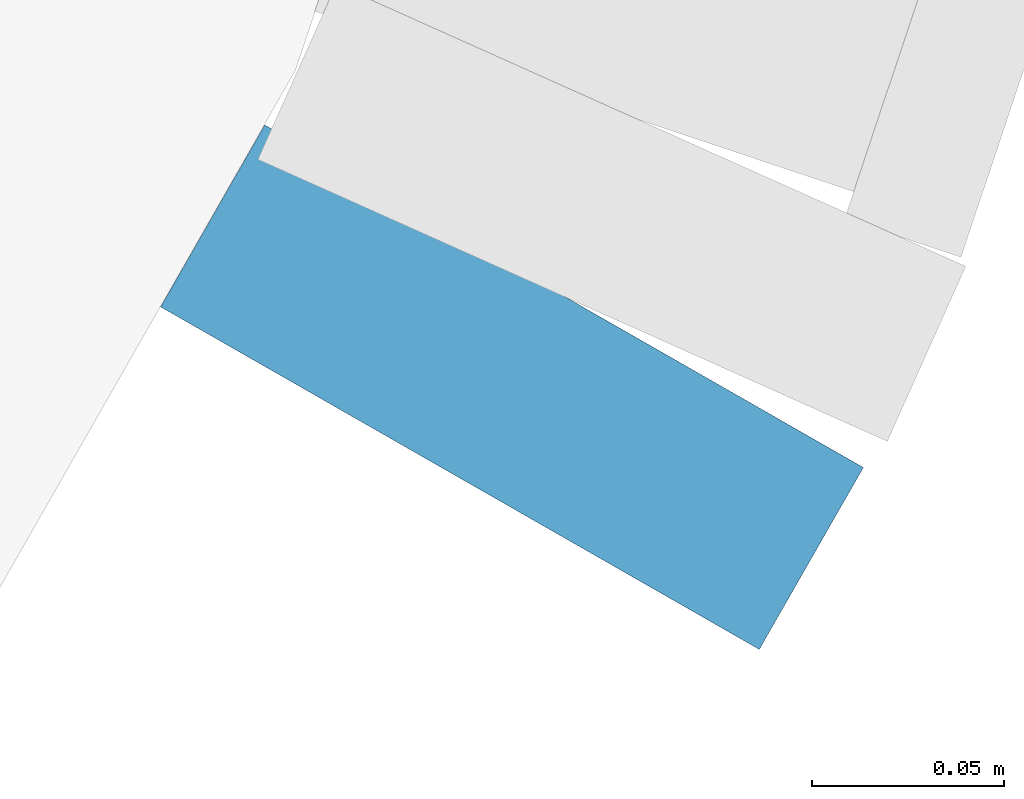
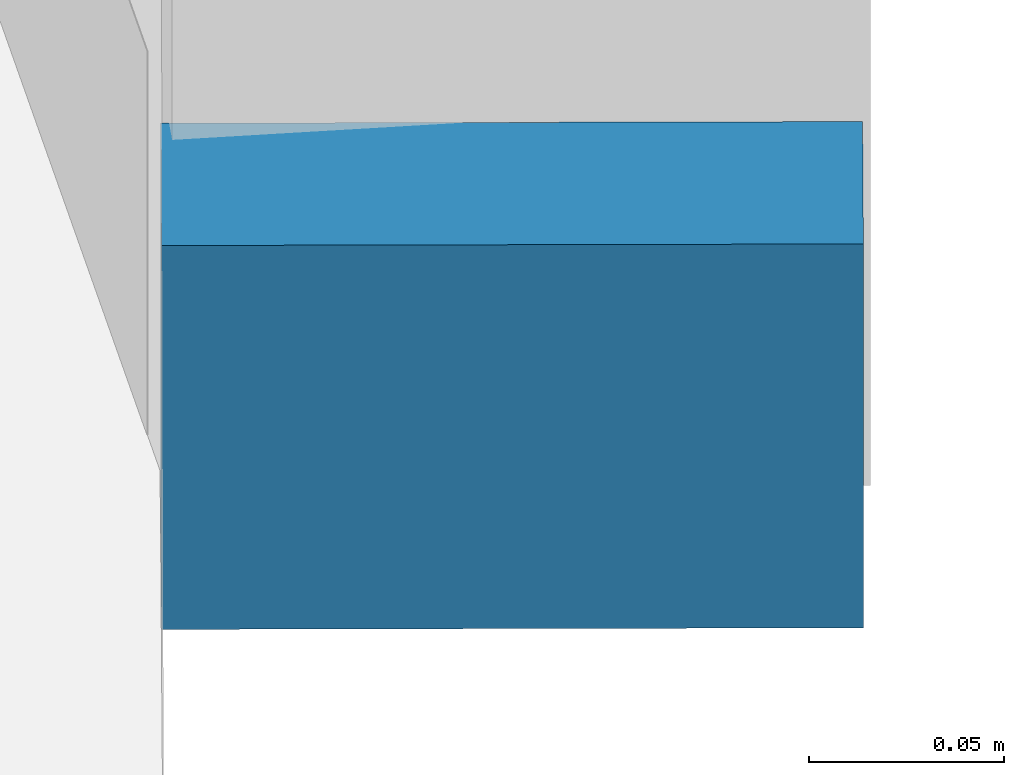
# One storey, part 16 of 32: 1 member, 1 element without a shape of its own.
"""IFC4 building model written with IfcOpenShell, lengths in metres."""

import ifcopenshell
import ifcopenshell.guid

model = None  # the IFC model being written
_history = None  # IfcOwnerHistory: only IFC2X3 demands one
_inside = {}  # id of a spatial element -> (the spatial element, [elements in it])
_under = {}  # id of a project, library or spatial element -> (it, [spatial elements below it])
_declared = {}  # id of a project -> (the project, [libraries it declares])
_typed = {}  # id of a type object -> (the type object, [elements of that type])
_made_of = {}  # id of a material, layer set ... -> (it, [elements and type objects made of it])


def new_model(schema):
    """Start an empty IFC model of exactly this schema.

    Asked for "IFC4X3", IfcOpenShell would pick the latest addendum, in which some entities
    have other attributes; the version numbers below select the first issue.
    IFC2X3 requires an IfcOwnerHistory on every rooted entity: one is made here for all.
    """
    global model, _history
    if schema == "IFC4X3":
        model = ifcopenshell.file(schema_version=(4, 3, 0, 0))
    else:
        model = ifcopenshell.file(schema=schema)
    _inside.clear()
    _under.clear()
    _declared.clear()
    _typed.clear()
    _made_of.clear()
    _history = None
    if model.schema == "IFC2X3":
        org = make("IfcOrganization", Name="unknown")
        user = make(
            "IfcPersonAndOrganization",
            ThePerson=make("IfcPerson", FamilyName="unknown"),
            TheOrganization=org,
        )
        app = make(
            "IfcApplication",
            ApplicationDeveloper=org,
            Version="unknown",
            ApplicationFullName="unknown",
            ApplicationIdentifier="unknown",
        )
        _history = make(
            "IfcOwnerHistory",
            OwningUser=user,
            OwningApplication=app,
            ChangeAction="ADDED",
            CreationDate=0,
        )
    return model


def make(cls, **values):
    """One entity of the class cls with the attributes given. An attribute that is None is left unset."""
    return model.create_entity(
        cls, **{name: value for name, value in values.items() if value is not None}
    )


def rooted(cls, **values):
    """An entity with a GlobalId (a new one), such as an element, a storey or a relation."""
    return make(cls, GlobalId=ifcopenshell.guid.new(), OwnerHistory=_history, **values)


def si_unit(unit_type, name, prefix=None):
    """IfcSIUnit, for example si_unit("LENGTHUNIT", "METRE", prefix="MILLI")."""
    return make("IfcSIUnit", UnitType=unit_type, Prefix=prefix, Name=name)


def assignment(units):
    """IfcUnitAssignment: the units of a project."""
    return None if units is None else make("IfcUnitAssignment", Units=units)


def point(xyz):
    """IfcCartesianPoint."""
    return None if xyz is None else make("IfcCartesianPoint", Coordinates=xyz)


def direction(xyz):
    """IfcDirection."""
    return None if xyz is None else make("IfcDirection", DirectionRatios=xyz)


def frame(location, z_axis=None, x_axis=None):
    """IfcAxis2Placement3D, a coordinate frame: its origin and axes. An axis left out is left unset."""
    return make(
        "IfcAxis2Placement3D",
        Location=point(location),
        Axis=direction(z_axis),
        RefDirection=direction(x_axis),
    )


def frame_2d(location, x_axis=None):
    """IfcAxis2Placement2D, a coordinate frame in the plane: its origin and x axis."""
    return make(
        "IfcAxis2Placement2D", Location=point(location), RefDirection=direction(x_axis)
    )


def origin():
    """The frame at (0, 0, 0) with its axes left unset."""
    return frame((0.0, 0.0, 0.0))


def origin_2d():
    """The frame at (0, 0) in the plane with its x axis left unset."""
    return frame_2d((0.0, 0.0))


def place(relative_to, where):
    """IfcLocalPlacement: puts the frame where relative to a parent placement (None: the world)."""
    return make(
        "IfcLocalPlacement", PlacementRelTo=relative_to, RelativePlacement=where
    )


def context(
    kind, dimensions, precision=None, world=None, true_north=None, identifier=None
):
    """IfcGeometricRepresentationContext, for example the 3D "Model" context."""
    return make(
        "IfcGeometricRepresentationContext",
        ContextIdentifier=identifier,
        ContextType=kind,
        CoordinateSpaceDimension=dimensions,
        Precision=precision,
        WorldCoordinateSystem=world,
        TrueNorth=true_north,
    )


def subcontext(parent, identifier, kind, view, scale=None):
    """IfcGeometricRepresentationSubContext, for example "Body" below "Model"."""
    return make(
        "IfcGeometricRepresentationSubContext",
        ContextIdentifier=identifier,
        ContextType=kind,
        ParentContext=parent,
        TargetScale=scale,
        TargetView=view,
    )


def project(units=None, contexts=None):
    """IfcProject with its units and contexts."""
    return rooted(
        "IfcProject",
        Name="project",
        RepresentationContexts=contexts,
        UnitsInContext=assignment(units),
    )


def spatial(cls, under=None, at=None, **own):
    """A site, building, storey or space (cls), placed at a placement, below another one or the project."""
    s = rooted(cls, ObjectPlacement=at, **own)
    if under is not None:
        _under.setdefault(under.id(), (under, []))[1].append(s)
    return s


def profile(cls, at=None, kind="AREA", **sizes):
    """A parametric profile (cls). Its sizes go by their IFC names, for example OverallWidth=200.0."""
    return make(cls, ProfileType=kind, Position=at, **sizes)


def rectangle(**sizes):
    """IfcRectangleProfileDef."""
    return profile("IfcRectangleProfileDef", **sizes)


def extrude(swept, where, along, depth):
    """IfcExtrudedAreaSolid: the profile swept, set in the frame where, extruded along a direction by depth."""
    return make(
        "IfcExtrudedAreaSolid",
        SweptArea=swept,
        Position=where,
        ExtrudedDirection=direction(along),
        Depth=depth,
    )


def shape(context_of_items, identifier, shape_type, items):
    """IfcShapeRepresentation: the items that make up one representation, for example the "Body"."""
    return make(
        "IfcShapeRepresentation",
        ContextOfItems=context_of_items,
        RepresentationIdentifier=identifier,
        RepresentationType=shape_type,
        Items=items,
    )


def material(Name=None, Category=None):
    """IfcMaterial."""
    return make("IfcMaterial", Name=Name, Category=Category)


def material_profile(
    of_material, cross_section, Name=None, Category=None, Priority=None
):
    """IfcMaterialProfile: a cross section and its material."""
    return make(
        "IfcMaterialProfile",
        Name=Name,
        Material=of_material,
        Profile=cross_section,
        Priority=Priority,
        Category=Category,
    )


def profile_set(profiles, Name=None, composite=None):
    """IfcMaterialProfileSet."""
    return make(
        "IfcMaterialProfileSet",
        Name=Name,
        MaterialProfiles=profiles,
        CompositeProfile=composite,
    )


def made_of(thing, what):
    """Note that an element or type object is made of a material, layer set ...; save() writes the relation."""
    if what is not None:
        _made_of.setdefault(what.id(), (what, []))[1].append(thing)
    return thing


def type_object(cls, material=None, **own):
    """A type object (cls), such as IfcWallType, which elements share."""
    return made_of(rooted(cls, **own), material)


def element(
    cls,
    number,
    at=None,
    inside=None,
    cuts=None,
    type_object=None,
    material=None,
    context=None,
    identifier="Body",
    shape_type=None,
    held_by="IfcProductDefinitionShape",
    body=None,
    shapes=None,
    **own,
):
    """One element of the class cls, such as IfcWall. Its Tag is "e" and its number.

    at: its placement. inside: the storey or other place that contains it. cuts: it is an
    opening in that element (IfcRelVoidsElement). A single representation is given by context,
    identifier, shape_type and body (its items); several are given by shapes. held_by: the class
    of the entity that holds the representations. save() writes the other relations.
    """
    e = rooted(cls, Tag="e%d" % number, ObjectPlacement=at, **own)
    if body is not None:
        shapes = [shape(context, identifier, shape_type, body)]
    if shapes is not None:
        e.Representation = make(held_by, Representations=shapes)
    if inside is not None:
        _inside.setdefault(inside.id(), (inside, []))[1].append(e)
    if cuts is not None:
        rooted(
            "IfcRelVoidsElement", RelatingBuildingElement=cuts, RelatedOpeningElement=e
        )
    if type_object is not None:
        _typed.setdefault(type_object.id(), (type_object, []))[1].append(e)
    return made_of(e, material)


def aggregate(whole, parts):
    """IfcRelAggregates: a whole, such as a stair, and the parts it consists of."""
    return rooted("IfcRelAggregates", RelatingObject=whole, RelatedObjects=parts)


def save(model, path):
    """Write the relations noted so far, then the file.

    IfcRelAggregates (storeys below a building ...), IfcRelContainedInSpatialStructure (elements
    in a storey), IfcRelDefinesByType, IfcRelAssociatesMaterial and IfcRelDeclares: one each for
    every whole, place, type object, material and project.
    """
    for whole, parts in _under.values():
        aggregate(whole, parts)
    for where, things in _inside.values():
        rooted(
            "IfcRelContainedInSpatialStructure",
            RelatedElements=things,
            RelatingStructure=where,
        )
    for kind, things in _typed.values():
        rooted("IfcRelDefinesByType", RelatedObjects=things, RelatingType=kind)
    for what, things in _made_of.values():
        rooted("IfcRelAssociatesMaterial", RelatedObjects=things, RelatingMaterial=what)
    for by, libraries in _declared.values():
        rooted("IfcRelDeclares", RelatingContext=by, RelatedDefinitions=libraries)
    model.write(path)


model = new_model("IFC4")

# Units and contexts
model_context = context("Model", 3, precision=1e-05, world=origin(), true_north=direction((0.0, 1.0)))
body_context = subcontext(model_context, "Body", "Model", "MODEL_VIEW")
ifc_project = project(units=[si_unit("LENGTHUNIT", "METRE"), si_unit("AREAUNIT", "SQUARE_METRE"), si_unit("VOLUMEUNIT", "CUBIC_METRE"), si_unit("PLANEANGLEUNIT", "RADIAN"), si_unit("MASSUNIT", "GRAM", prefix="KILO")], contexts=[model_context])

# Site, building, storey
site_placement = place(None, origin())
site = spatial("IfcSite", under=ifc_project, at=site_placement, CompositionType="ELEMENT")
building_placement = place(site_placement, origin())
building = spatial("IfcBuilding", under=site, at=building_placement, Name="Orlundy Tower", CompositionType="ELEMENT")
storey_placement = place(building_placement, frame((0.0, 0.0, 149.10009765625)))
storey = spatial("IfcBuildingStorey", under=building, at=storey_placement, Name="L38", CompositionType="ELEMENT", Elevation=149.10009765625)

# Curtain wall, member
ifc_material_1 = material(Name="Aluminium bronze anodised", Category="aluminium")
curtain_wall_type = type_object("IfcCurtainWallType", Name="CW1 wall", PredefinedType="NOTDEFINED", material=ifc_material_1)
curtain_wall_placement = place(storey_placement, origin())
curtain_wall = element("IfcCurtainWall", 1, at=curtain_wall_placement, inside=storey, type_object=curtain_wall_type, Name="CW1 run 03", PredefinedType="NOTDEFINED")
ifc_material_2 = material(Name="Aluminium bronze anodised", Category="aluminium")
ifc_material_profile = material_profile(ifc_material_2, rectangle(XDim=0.179931640625, YDim=0.1201171875, at=origin_2d()), Name="CW1 transom 180x120")
ifc_profile_set = profile_set([ifc_material_profile], Name="Aluminium bronze anodised")
member_type = type_object("IfcMemberType", Name="CW1 transom 180x120", PredefinedType="USERDEFINED", material=ifc_profile_set)
member_placement = place(storey_placement, frame((3.171142578125, -53.82080078125, -0.340087890625), z_axis=(-0.496620683831, -0.867967681651, 0.0), x_axis=(0.867967681651, -0.496620683831, 0.0)))
member = element("IfcMember", 2, at=member_placement, type_object=member_type, Name="CW1 transom", ObjectType="TRANSOM", PredefinedType="USERDEFINED", context=body_context, shape_type="SweptSolid", body=[
    extrude(rectangle(XDim=0.179931640625, YDim=0.1201171875, at=origin_2d()), origin(), (0.0, 0.0, 1.0), 0.0546875),
])
aggregate(curtain_wall, [member])

save(model, "model.ifc")
